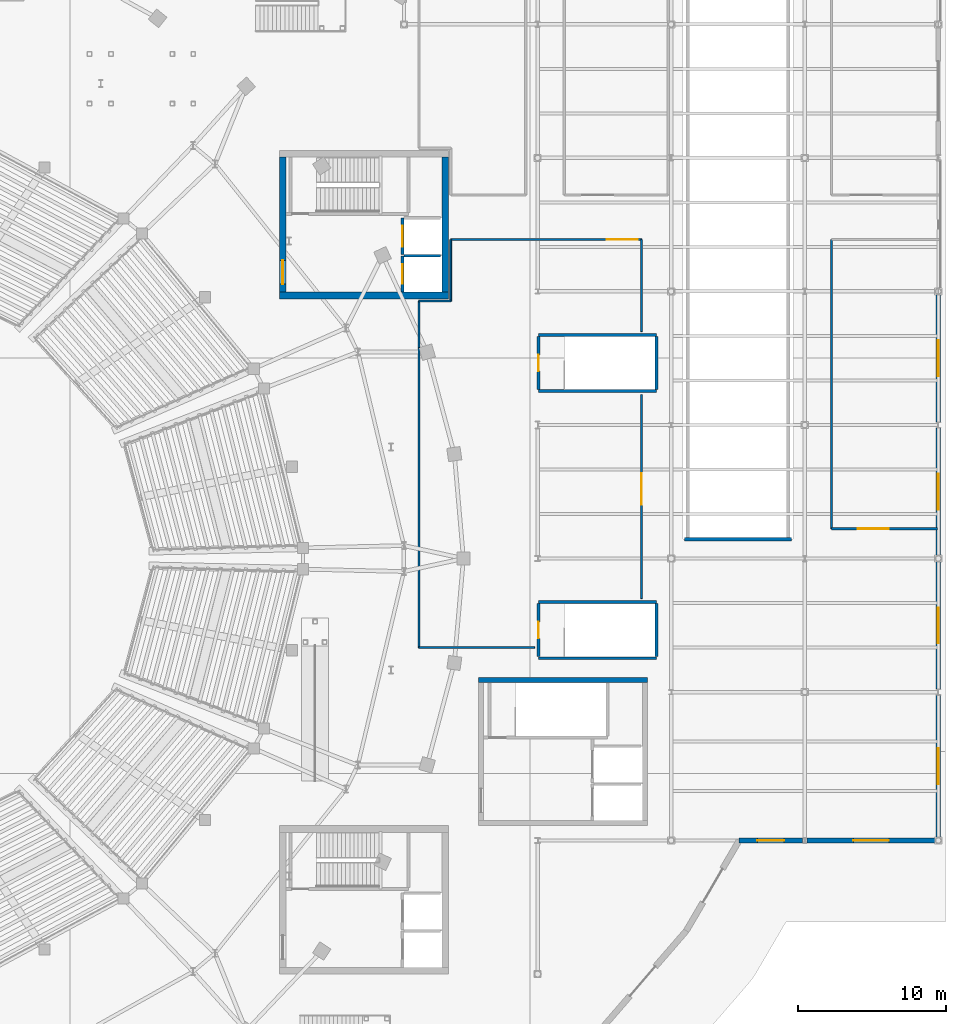
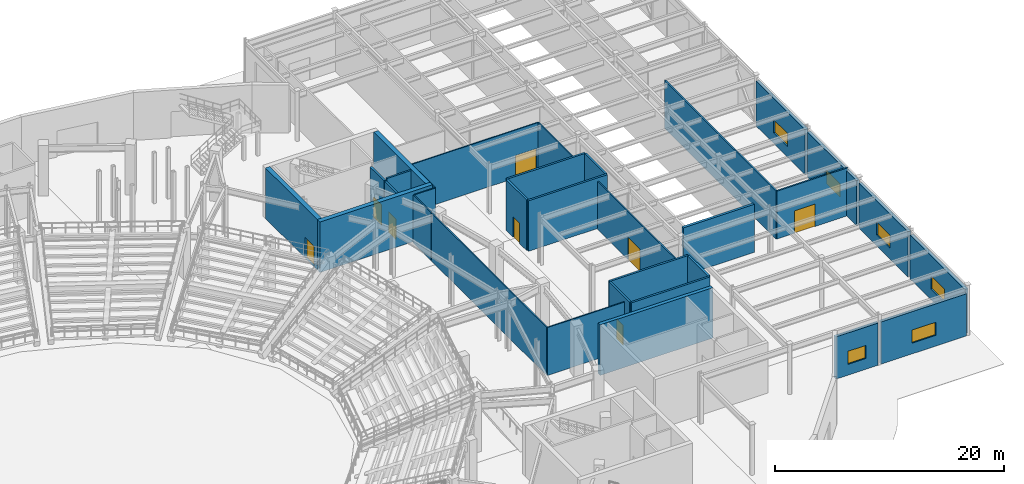
# One storey, part 55 of 79: 32 walls, 8 doors, 6 windows, 14 openings.
"""IFC4 building model written with IfcOpenShell, lengths in metres."""

from ifc_helpers import new_model, si_unit, direction, frame, frame_2d, origin, place, context, subcontext, project, spatial, rectangle, extrude, material, layer, layer_set, type_object, element, fill, save


model = new_model("IFC4")

# Units and contexts
model_context = context("Model", 3, precision=1e-05, world=origin(), true_north=direction((0.0, 1.0)))
body_context = subcontext(model_context, "Body", "Model", "MODEL_VIEW")
ifc_project = project(units=[si_unit("LENGTHUNIT", "METRE"), si_unit("AREAUNIT", "SQUARE_METRE"), si_unit("VOLUMEUNIT", "CUBIC_METRE"), si_unit("PLANEANGLEUNIT", "RADIAN"), si_unit("MASSUNIT", "GRAM", prefix="KILO")], contexts=[model_context])

# Site, building, storey
site_placement = place(None, origin())
site = spatial("IfcSite", under=ifc_project, at=site_placement, CompositionType="ELEMENT")
building_placement = place(site_placement, origin())
building = spatial("IfcBuilding", under=site, at=building_placement, Name="Glasvene Arena", CompositionType="ELEMENT")
storey_placement = place(building_placement, origin())
storey = spatial("IfcBuildingStorey", under=building, at=storey_placement, Name="L00", CompositionType="ELEMENT", Elevation=0.0)

# Walls
ifc_material_1 = material(Name="Concrete C40/50", Category="concrete")
ifc_layer_1 = layer(ifc_material_1, 0.35009765625)
ifc_layer_set_1 = layer_set([ifc_layer_1], Name="Concrete C40/50")
wall_type_1 = type_object("IfcWallType", Name="WL-CORE-350", PredefinedType="SHEAR", material=ifc_layer_set_1)
wall_1_placement = place(storey_placement, frame((143.0, 64.824951171875, 0.0), z_axis=(0.0, 0.0, 1.0), x_axis=(1.0, 0.0, 0.0)))
element("IfcWall", 1, at=wall_1_placement, inside=storey, type_object=wall_type_1, Name="Core C6 Production shear wall N L00", PredefinedType="SHEAR", context=body_context, shape_type="SweptSolid", body=[
    extrude(rectangle(XDim=11.39990234375, YDim=0.35009765625, at=frame_2d((5.699951171875, 0.0))), origin(), (0.0, 0.0, 1.0), 5.39990234375),
])
ifc_layer_2 = layer(ifc_material_1, 0.449951171875)
ifc_layer_set_2 = layer_set([ifc_layer_2], Name="Concrete C40/50")
wall_type_2 = type_object("IfcWallType", Name="WL-CORE-450", PredefinedType="SHEAR", material=ifc_layer_set_2)
wall_2_placement = place(storey_placement, frame((129.60009765625, 90.72509765625, 0.0), z_axis=(0.0, 0.0, 1.0), x_axis=(1.0, 0.0, 0.0)))
element("IfcWall", 2, at=wall_2_placement, inside=storey, type_object=wall_type_2, Name="Core C2 North-East shear wall S L00", PredefinedType="SHEAR", context=body_context, shape_type="SweptSolid", body=[
    extrude(rectangle(XDim=11.39990234375, YDim=0.449951171875, at=frame_2d((5.699951171875, 0.0))), origin(), (0.0, 0.0, 1.0), 5.39990234375),
])

# Wall, opening, door
wall_3_placement = place(storey_placement, frame((129.824951171875, 90.949951171875, 0.0), z_axis=(0.0, 0.0, 1.0), x_axis=(0.0, 1.0, 0.0)))
wall_3 = element("IfcWall", 3, at=wall_3_placement, inside=storey, type_object=wall_type_2, Name="Core C2 North-East shear wall W L00", PredefinedType="SHEAR", context=body_context, shape_type="SweptSolid", body=[
    extrude(rectangle(XDim=9.10009765625, YDim=0.449951171875, at=frame_2d((4.550048828125, 0.0))), origin(), (0.0, 0.0, 1.0), 5.39990234375),
])
opening_1_placement = place(wall_3_placement, frame((0.550048828125, 0.0, 0.0)))
opening_1 = element("IfcOpeningElement", 4, at=opening_1_placement, cuts=wall_3, Name="Opening D-02", PredefinedType="OPENING", context=body_context, shape_type="SweptSolid", body=[
    extrude(rectangle(XDim=1.60009765625, YDim=2.199951171875, at=frame_2d((0.800048828125, 1.10009765625))), frame((0.0, 0.23486328125, 0.0), z_axis=(0.0, -1.0, 0.0), x_axis=(1.0, 0.0, 0.0)), (0.0, 0.0, 1.0), 0.469970703125),
])
ifc_material_2 = material(Name="Painted fire-resisting steel", Category="steel")
door_type_1 = type_object("IfcDoorType", Name="DR-FD60-1600", OperationType="DOUBLE_DOOR_SINGLE_SWING", PredefinedType="DOOR", material=ifc_material_2)
door_1_placement = place(opening_1_placement, frame((1.60009765625, 0.0, 0.0), z_axis=(0.0, 0.0, 1.0), x_axis=(-1.0, 0.0, 0.0)))
door_1 = element("IfcDoor", 5, at=door_1_placement, inside=storey, type_object=door_type_1, Name="Core firefighting lobby concourse door C2-L00", OperationType="DOUBLE_DOOR_SINGLE_SWING", OverallHeight=2.199951171875, OverallWidth=1.60009765625, PredefinedType="DOOR", context=body_context, shape_type="SweptSolid", body=[
    extrude(rectangle(XDim=1.60009765625, YDim=2.199951171875, at=frame_2d((0.800048828125, 1.10009765625))), frame((0.0, 0.02490234375, 0.0), z_axis=(0.0, -1.0, 0.0), x_axis=(1.0, 0.0, 0.0)), (0.0, 0.0, 1.0), 0.050048828125),
])
fill(opening_1, door_1)

# Wall
wall_4_placement = place(storey_placement, frame((140.77490234375, 90.949951171875, 0.0), z_axis=(0.0, 0.0, 1.0), x_axis=(0.0, 1.0, 0.0)))
element("IfcWall", 6, at=wall_4_placement, inside=storey, type_object=wall_type_2, Name="Core C2 North-East shear wall E L00", PredefinedType="SHEAR", context=body_context, shape_type="SweptSolid", body=[
    extrude(rectangle(XDim=9.10009765625, YDim=0.449951171875, at=frame_2d((4.550048828125, 0.0))), origin(), (0.0, 0.0, 1.0), 5.39990234375),
])

# Wall, opening, window
ifc_material_3 = material(Name="Precast concrete C50/60", Category="concrete")
ifc_layer_3 = layer(ifc_material_3, 0.320068359375)
ifc_layer_set_3 = layer_set([ifc_layer_3], Name="Precast concrete C50/60")
wall_type_3 = type_object("IfcWallType", Name="WL-EXT-PRC-320", PredefinedType="STANDARD", material=ifc_layer_set_3)
wall_5_placement = place(storey_placement, frame((174.0, 90.794921875, 0.0), z_axis=(0.0, 0.0, 1.0), x_axis=(0.0, -1.0, 0.0)))
wall_5 = element("IfcWall", 7, at=wall_5_placement, inside=storey, type_object=wall_type_3, Name="External facade wall EW-L00-0030", PredefinedType="STANDARD", context=body_context, shape_type="SweptSolid", body=[
    extrude(rectangle(XDim=8.593017578125, YDim=0.320068359375, at=frame_2d((4.29638671875, 0.0))), origin(), (0.0, 0.0, 1.0), 4.81494140625),
])
opening_2_placement = place(wall_5_placement, frame((3.095947265625, 0.0, 1.14990234375)))
opening_2 = element("IfcOpeningElement", 8, at=opening_2_placement, cuts=wall_5, Name="Opening W-18", PredefinedType="OPENING", context=body_context, shape_type="SweptSolid", body=[
    extrude(rectangle(XDim=2.39990234375, YDim=1.39990234375, at=frame_2d((1.199951171875, 0.699951171875))), frame((0.0, 0.169921875, 0.0), z_axis=(0.0, -1.0, 0.0), x_axis=(1.0, 0.0, 0.0)), (0.0, 0.0, 1.0), 0.340087890625),
])
ifc_material_4 = material(Name="Low-emissivity laminated double glazing", Category="glass")
window_type_1 = type_object("IfcWindowType", Name="WN-LOUV-240x140", PartitioningType="DOUBLE_PANEL_HORIZONTAL", PredefinedType="WINDOW", material=ifc_material_4)
window_1_placement = place(opening_2_placement, origin())
window_1 = element("IfcWindow", 9, at=window_1_placement, inside=storey, type_object=window_type_1, Name="Facade window WN-LOUV-240x140 L00-0007", OverallHeight=1.39990234375, OverallWidth=2.39990234375, PartitioningType="SINGLE_PANEL", PredefinedType="WINDOW", context=body_context, shape_type="SweptSolid", body=[
    extrude(rectangle(XDim=2.39990234375, YDim=1.39990234375, at=frame_2d((1.199951171875, 0.699951171875))), frame((0.0, 0.030029296875, 0.0), z_axis=(0.0, -1.0, 0.0), x_axis=(1.0, 0.0, 0.0)), (0.0, 0.0, 1.0), 0.06005859375),
])
fill(opening_2, window_1)

wall_6_placement = place(storey_placement, frame((174.0, 81.798095703125, 0.0), z_axis=(0.0, 0.0, 1.0), x_axis=(0.0, -1.0, 0.0)))
wall_6 = element("IfcWall", 10, at=wall_6_placement, inside=storey, type_object=wall_type_3, Name="External facade wall EW-L00-0031", PredefinedType="STANDARD", context=body_context, shape_type="SweptSolid", body=[
    extrude(rectangle(XDim=8.593017578125, YDim=0.320068359375, at=frame_2d((4.29638671875, 0.0))), origin(), (0.0, 0.0, 1.0), 4.81494140625),
])
opening_3_placement = place(wall_6_placement, frame((3.095947265625, 0.0, 1.14990234375)))
opening_3 = element("IfcOpeningElement", 11, at=opening_3_placement, cuts=wall_6, Name="Opening W-18", PredefinedType="OPENING", context=body_context, shape_type="SweptSolid", body=[
    extrude(rectangle(XDim=2.39990234375, YDim=1.39990234375, at=frame_2d((1.199951171875, 0.699951171875))), frame((0.0, 0.169921875, 0.0), z_axis=(0.0, -1.0, 0.0), x_axis=(1.0, 0.0, 0.0)), (0.0, 0.0, 1.0), 0.340087890625),
])
window_2_placement = place(opening_3_placement, origin())
window_2 = element("IfcWindow", 12, at=window_2_placement, inside=storey, type_object=window_type_1, Name="Facade window WN-LOUV-240x140 L00-0008", OverallHeight=1.39990234375, OverallWidth=2.39990234375, PartitioningType="SINGLE_PANEL", PredefinedType="WINDOW", context=body_context, shape_type="SweptSolid", body=[
    extrude(rectangle(XDim=2.39990234375, YDim=1.39990234375, at=frame_2d((1.199951171875, 0.699951171875))), frame((0.0, 0.030029296875, 0.0), z_axis=(0.0, -1.0, 0.0), x_axis=(1.0, 0.0, 0.0)), (0.0, 0.0, 1.0), 0.06005859375),
])
fill(opening_3, window_2)

wall_7_placement = place(storey_placement, frame((174.0, 72.794921875, 0.0), z_axis=(0.0, 0.0, 1.0), x_axis=(0.0, -1.0, 0.0)))
wall_7 = element("IfcWall", 13, at=wall_7_placement, inside=storey, type_object=wall_type_3, Name="External facade wall EW-L00-0032", PredefinedType="STANDARD", context=body_context, shape_type="SweptSolid", body=[
    extrude(rectangle(XDim=8.593017578125, YDim=0.320068359375, at=frame_2d((4.29638671875, 0.0))), origin(), (0.0, 0.0, 1.0), 4.81494140625),
])
opening_4_placement = place(wall_7_placement, frame((3.095947265625, 0.0, 1.14990234375)))
opening_4 = element("IfcOpeningElement", 14, at=opening_4_placement, cuts=wall_7, Name="Opening W-18", PredefinedType="OPENING", context=body_context, shape_type="SweptSolid", body=[
    extrude(rectangle(XDim=2.39990234375, YDim=1.39990234375, at=frame_2d((1.199951171875, 0.699951171875))), frame((0.0, 0.169921875, 0.0), z_axis=(0.0, -1.0, 0.0), x_axis=(1.0, 0.0, 0.0)), (0.0, 0.0, 1.0), 0.340087890625),
])
window_3_placement = place(opening_4_placement, origin())
window_3 = element("IfcWindow", 15, at=window_3_placement, inside=storey, type_object=window_type_1, Name="Facade window WN-LOUV-240x140 L00-0009", OverallHeight=1.39990234375, OverallWidth=2.39990234375, PartitioningType="SINGLE_PANEL", PredefinedType="WINDOW", context=body_context, shape_type="SweptSolid", body=[
    extrude(rectangle(XDim=2.39990234375, YDim=1.39990234375, at=frame_2d((1.199951171875, 0.699951171875))), frame((0.0, 0.030029296875, 0.0), z_axis=(0.0, -1.0, 0.0), x_axis=(1.0, 0.0, 0.0)), (0.0, 0.0, 1.0), 0.06005859375),
])
fill(opening_4, window_3)

wall_8_placement = place(storey_placement, frame((174.0, 63.798095703125, 0.0), z_axis=(0.0, 0.0, 1.0), x_axis=(0.0, -1.0, 0.0)))
wall_8 = element("IfcWall", 16, at=wall_8_placement, inside=storey, type_object=wall_type_3, Name="External facade wall EW-L00-0033", PredefinedType="STANDARD", context=body_context, shape_type="SweptSolid", body=[
    extrude(rectangle(XDim=9.593017578125, YDim=0.320068359375, at=frame_2d((4.79638671875, 0.0))), origin(), (0.0, 0.0, 1.0), 4.715087890625),
])
opening_5_placement = place(wall_8_placement, frame((3.595947265625, 0.0, 1.14990234375)))
opening_5 = element("IfcOpeningElement", 17, at=opening_5_placement, cuts=wall_8, Name="Opening W-18", PredefinedType="OPENING", context=body_context, shape_type="SweptSolid", body=[
    extrude(rectangle(XDim=2.39990234375, YDim=1.39990234375, at=frame_2d((1.199951171875, 0.699951171875))), frame((0.0, 0.169921875, 0.0), z_axis=(0.0, -1.0, 0.0), x_axis=(1.0, 0.0, 0.0)), (0.0, 0.0, 1.0), 0.340087890625),
])
window_4_placement = place(opening_5_placement, origin())
window_4 = element("IfcWindow", 18, at=window_4_placement, inside=storey, type_object=window_type_1, Name="Facade window WN-LOUV-240x140 L00-0010", OverallHeight=1.39990234375, OverallWidth=2.39990234375, PartitioningType="SINGLE_PANEL", PredefinedType="WINDOW", context=body_context, shape_type="SweptSolid", body=[
    extrude(rectangle(XDim=2.39990234375, YDim=1.39990234375, at=frame_2d((1.199951171875, 0.699951171875))), frame((0.0, 0.030029296875, 0.0), z_axis=(0.0, -1.0, 0.0), x_axis=(1.0, 0.0, 0.0)), (0.0, 0.0, 1.0), 0.06005859375),
])
fill(opening_5, window_4)

wall_9_placement = place(storey_placement, frame((173.794921875, 54.0, 0.0), z_axis=(0.0, 0.0, 1.0), x_axis=(-1.0, 0.0, 0.0)))
wall_9 = element("IfcWall", 19, at=wall_9_placement, inside=storey, type_object=wall_type_3, Name="External facade wall EW-L00-0034", PredefinedType="STANDARD", context=body_context, shape_type="SweptSolid", body=[
    extrude(rectangle(XDim=8.642822265625, YDim=0.320068359375, at=frame_2d((4.3212890625, 0.0))), origin(), (0.0, 0.0, 1.0), 4.50732421875),
])
opening_6_placement = place(wall_9_placement, frame((3.12109375, 0.0, 1.14990234375)))
opening_6 = element("IfcOpeningElement", 20, at=opening_6_placement, cuts=wall_9, Name="Opening W-18", PredefinedType="OPENING", context=body_context, shape_type="SweptSolid", body=[
    extrude(rectangle(XDim=2.39990234375, YDim=1.39990234375, at=frame_2d((1.199951171875, 0.699951171875))), frame((0.0, 0.169921875, 0.0), z_axis=(0.0, -1.0, 0.0), x_axis=(1.0, 0.0, 0.0)), (0.0, 0.0, 1.0), 0.340087890625),
])
window_5_placement = place(opening_6_placement, origin())
window_5 = element("IfcWindow", 21, at=window_5_placement, inside=storey, type_object=window_type_1, Name="Facade window WN-LOUV-240x140 L00-0011", OverallHeight=1.39990234375, OverallWidth=2.39990234375, PartitioningType="SINGLE_PANEL", PredefinedType="WINDOW", context=body_context, shape_type="SweptSolid", body=[
    extrude(rectangle(XDim=2.39990234375, YDim=1.39990234375, at=frame_2d((1.199951171875, 0.699951171875))), frame((0.0, 0.030029296875, 0.0), z_axis=(0.0, -1.0, 0.0), x_axis=(1.0, 0.0, 0.0)), (0.0, 0.0, 1.0), 0.06005859375),
])
fill(opening_6, window_5)

wall_10_placement = place(storey_placement, frame((164.847900390625, 54.0, 0.0), z_axis=(0.0, 0.0, 1.0), x_axis=(-1.0, 0.0, 0.0)))
wall_10 = element("IfcWall", 22, at=wall_10_placement, inside=storey, type_object=wall_type_3, Name="External facade wall EW-L00-0035", PredefinedType="STANDARD", context=body_context, shape_type="SweptSolid", body=[
    extrude(rectangle(XDim=4.267578125, YDim=0.320068359375, at=frame_2d((2.1337890625, 0.0))), origin(), (0.0, 0.0, 1.0), 4.50732421875),
])
opening_7_placement = place(wall_10_placement, frame((1.23388671875, 0.0, 1.14990234375)))
opening_7 = element("IfcOpeningElement", 23, at=opening_7_placement, cuts=wall_10, Name="Opening W-19", PredefinedType="OPENING", context=body_context, shape_type="SweptSolid", body=[
    extrude(rectangle(XDim=1.800048828125, YDim=1.39990234375, at=frame_2d((0.89990234375, 0.699951171875))), frame((0.0, 0.169921875, 0.0), z_axis=(0.0, -1.0, 0.0), x_axis=(1.0, 0.0, 0.0)), (0.0, 0.0, 1.0), 0.340087890625),
])
window_type_2 = type_object("IfcWindowType", Name="WN-LOUV-180x140", PartitioningType="SINGLE_PANEL", PredefinedType="WINDOW", material=ifc_material_4)
window_6_placement = place(opening_7_placement, origin())
window_6 = element("IfcWindow", 24, at=window_6_placement, inside=storey, type_object=window_type_2, Name="Facade window WN-LOUV-180x140 L00-0012", OverallHeight=1.39990234375, OverallWidth=1.800048828125, PartitioningType="SINGLE_PANEL", PredefinedType="WINDOW", context=body_context, shape_type="SweptSolid", body=[
    extrude(rectangle(XDim=1.800048828125, YDim=1.39990234375, at=frame_2d((0.89990234375, 0.699951171875))), frame((0.0, 0.030029296875, 0.0), z_axis=(0.0, -1.0, 0.0), x_axis=(1.0, 0.0, 0.0)), (0.0, 0.0, 1.0), 0.06005859375),
])
fill(opening_7, window_6)

# Walls
ifc_layer_4 = layer(ifc_material_1, 0.25)
ifc_layer_set_4 = layer_set([ifc_layer_4], Name="Concrete C40/50")
wall_type_4 = type_object("IfcWallType", Name="WL-FIRE-250", PredefinedType="STANDARD", material=ifc_layer_set_4)
wall_11_placement = place(storey_placement, frame((156.89990234375, 74.300048828125, 0.0), z_axis=(0.0, 0.0, 1.0), x_axis=(1.0, 0.0, 0.0)))
element("IfcWall", 25, at=wall_11_placement, inside=storey, type_object=wall_type_4, Name="Vehicle ramp south head enclosure wall L00", PredefinedType="STANDARD", context=body_context, shape_type="SweptSolid", body=[
    extrude(rectangle(XDim=7.2001953125, YDim=0.25, at=frame_2d((3.60009765625, 0.0))), origin(), (0.0, 0.0, 1.0), 5.1201171875),
])
ifc_material_5 = material(Name="Lightweight gypsum metal-stud partition")
ifc_layer_5 = layer(ifc_material_5, 0.1201171875)
ifc_layer_set_5 = layer_set([ifc_layer_5], Name="Lightweight gypsum metal-stud partition")
wall_type_5 = type_object("IfcWallType", Name="WL-PART-120", PredefinedType="PARTITIONING", material=ifc_layer_set_5)
wall_12_placement = place(storey_placement, frame((146.800048828125, 67.0, 0.0), z_axis=(0.0, 0.0, 1.0), x_axis=(-1.0, 0.0, 0.0)))
element("IfcWall", 26, at=wall_12_placement, inside=storey, type_object=wall_type_5, Name="Interior partition wall IW-L00-0136 (Production Rigging Workshop)", PredefinedType="PARTITIONING", context=body_context, shape_type="SweptSolid", body=[
    extrude(rectangle(XDim=7.800048828125, YDim=0.1201171875, at=frame_2d((3.89990234375, 0.0))), origin(), (0.0, 0.0, 1.0), 5.1201171875),
])
wall_13_placement = place(storey_placement, frame((139.0, 67.0, 0.0), z_axis=(0.0, 0.0, 1.0), x_axis=(0.0, 1.0, 0.0)))
element("IfcWall", 27, at=wall_13_placement, inside=storey, type_object=wall_type_5, Name="Interior partition wall IW-L00-0137 (Production Rigging Workshop)", PredefinedType="PARTITIONING", context=body_context, shape_type="SweptSolid", body=[
    extrude(rectangle(XDim=20.1787109375, YDim=0.1201171875, at=frame_2d((10.08935546875, 0.0))), origin(), (0.0, 0.0, 1.0), 5.1201171875),
])
wall_14_placement = place(storey_placement, frame((139.0, 87.21728515625, 0.0), z_axis=(0.0, 0.0, 1.0), x_axis=(0.0, 1.0, 0.0)))
element("IfcWall", 28, at=wall_14_placement, inside=storey, type_object=wall_type_5, Name="Interior partition wall IW-L00-0138 (Production Rigging Workshop)", PredefinedType="PARTITIONING", context=body_context, shape_type="SweptSolid", body=[
    extrude(rectangle(XDim=3.1328125, YDim=0.1201171875, at=frame_2d((1.56640625, 0.0))), origin(), (0.0, 0.0, 1.0), 5.1201171875),
])
wall_15_placement = place(storey_placement, frame((139.0, 90.35009765625, 0.0), z_axis=(0.0, 0.0, 1.0), x_axis=(1.0, 0.0, 0.0)))
element("IfcWall", 29, at=wall_15_placement, inside=storey, type_object=wall_type_5, Name="Interior partition wall IW-L00-0139 (Production Rigging Workshop)", PredefinedType="PARTITIONING", context=body_context, shape_type="SweptSolid", body=[
    extrude(rectangle(XDim=2.14990234375, YDim=0.1201171875, at=frame_2d((1.074951171875, 0.0))), origin(), (0.0, 0.0, 1.0), 5.1201171875),
])
wall_16_placement = place(storey_placement, frame((141.14990234375, 90.35009765625, 0.0), z_axis=(0.0, 0.0, 1.0), x_axis=(0.0, 1.0, 0.0)))
element("IfcWall", 30, at=wall_16_placement, inside=storey, type_object=wall_type_5, Name="Interior partition wall IW-L00-0140 (Production Rigging Workshop)", PredefinedType="PARTITIONING", context=body_context, shape_type="SweptSolid", body=[
    extrude(rectangle(XDim=4.14990234375, YDim=0.1201171875, at=frame_2d((2.074951171875, 0.0))), origin(), (0.0, 0.0, 1.0), 5.1201171875),
])

# Wall, opening, door
wall_17_placement = place(storey_placement, frame((141.14990234375, 94.5, 0.0), z_axis=(0.0, 0.0, 1.0), x_axis=(1.0, 0.0, 0.0)))
wall_17 = element("IfcWall", 31, at=wall_17_placement, inside=storey, type_object=wall_type_5, Name="Interior partition wall IW-L00-0141 (Production Rigging Workshop)", PredefinedType="PARTITIONING", context=body_context, shape_type="SweptSolid", body=[
    extrude(rectangle(XDim=12.85009765625, YDim=0.1201171875, at=frame_2d((6.425048828125, 0.0))), origin(), (0.0, 0.0, 1.0), 5.1201171875),
])
opening_8_placement = place(wall_17_placement, frame((10.5, 0.0, 0.0)))
opening_8 = element("IfcOpeningElement", 32, at=opening_8_placement, cuts=wall_17, Name="Opening D-10", PredefinedType="OPENING", context=body_context, shape_type="SweptSolid", body=[
    extrude(rectangle(XDim=2.10009765625, YDim=2.39990234375, at=frame_2d((1.050048828125, 1.199951171875))), frame((0.0, 0.070068359375, 0.0), z_axis=(0.0, -1.0, 0.0), x_axis=(1.0, 0.0, 0.0)), (0.0, 0.0, 1.0), 0.14013671875),
])
ifc_material_6 = material(Name="Galvanised acoustic steel", Category="steel")
door_type_2 = type_object("IfcDoorType", Name="DR-PLANT-2100", OperationType="DOUBLE_DOOR_SINGLE_SWING", PredefinedType="DOOR", material=ifc_material_6)
door_2_placement = place(opening_8_placement, origin())
door_2 = element("IfcDoor", 33, at=door_2_placement, inside=storey, type_object=door_type_2, Name="Interior door DR-PLANT-2100 (Production Rigging Workshop)", OperationType="DOUBLE_DOOR_SINGLE_SWING", OverallHeight=2.39990234375, OverallWidth=2.10009765625, PredefinedType="DOOR", context=body_context, shape_type="SweptSolid", body=[
    extrude(rectangle(XDim=2.10009765625, YDim=2.39990234375, at=frame_2d((1.050048828125, 1.199951171875))), frame((0.0, 0.02490234375, 0.0), z_axis=(0.0, -1.0, 0.0), x_axis=(1.0, 0.0, 0.0)), (0.0, 0.0, 1.0), 0.050048828125),
])
fill(opening_8, door_2)

# Wall
wall_18_placement = place(storey_placement, frame((154.0, 94.5, 0.0), z_axis=(0.0, 0.0, 1.0), x_axis=(0.0, -1.0, 0.0)))
element("IfcWall", 34, at=wall_18_placement, inside=storey, type_object=wall_type_5, Name="Interior partition wall IW-L00-0142 (Production Rigging Workshop)", PredefinedType="PARTITIONING", context=body_context, shape_type="SweptSolid", body=[
    extrude(rectangle(XDim=6.199951171875, YDim=0.1201171875, at=frame_2d((3.10009765625, 0.0))), origin(), (0.0, 0.0, 1.0), 5.1201171875),
])

# Wall, opening, door
wall_19_placement = place(storey_placement, frame((154.0, 84.050048828125, 0.0), z_axis=(0.0, 0.0, 1.0), x_axis=(0.0, -1.0, 0.0)))
wall_19 = element("IfcWall", 35, at=wall_19_placement, inside=storey, type_object=wall_type_5, Name="Interior partition wall IW-L00-0143 (Production Rigging Workshop)", PredefinedType="PARTITIONING", context=body_context, shape_type="SweptSolid", body=[
    extrude(rectangle(XDim=13.75, YDim=0.1201171875, at=frame_2d((6.875, 0.0))), origin(), (0.0, 0.0, 1.0), 5.1201171875),
])
opening_9_placement = place(wall_19_placement, frame((5.31494140625, 0.0, 0.0)))
opening_9 = element("IfcOpeningElement", 36, at=opening_9_placement, cuts=wall_19, Name="Opening D-10", PredefinedType="OPENING", context=body_context, shape_type="SweptSolid", body=[
    extrude(rectangle(XDim=2.10009765625, YDim=2.39990234375, at=frame_2d((1.050048828125, 1.199951171875))), frame((0.0, 0.070068359375, 0.0), z_axis=(0.0, -1.0, 0.0), x_axis=(1.0, 0.0, 0.0)), (0.0, 0.0, 1.0), 0.14013671875),
])
door_3_placement = place(opening_9_placement, origin())
door_3 = element("IfcDoor", 37, at=door_3_placement, inside=storey, type_object=door_type_2, Name="Interior door DR-PLANT-2100 (Production Rigging Workshop)", OperationType="DOUBLE_DOOR_SINGLE_SWING", OverallHeight=2.39990234375, OverallWidth=2.10009765625, PredefinedType="DOOR", context=body_context, shape_type="SweptSolid", body=[
    extrude(rectangle(XDim=2.10009765625, YDim=2.39990234375, at=frame_2d((1.050048828125, 1.199951171875))), frame((0.0, 0.02490234375, 0.0), z_axis=(0.0, -1.0, 0.0), x_axis=(1.0, 0.0, 0.0)), (0.0, 0.0, 1.0), 0.050048828125),
])
fill(opening_9, door_3)

ifc_material_7 = material(Name="Insulated acoustic metal-stud partition")
ifc_layer_6 = layer(ifc_material_7, 0.14990234375)
ifc_layer_set_6 = layer_set([ifc_layer_6], Name="Insulated acoustic metal-stud partition")
wall_type_6 = type_object("IfcWallType", Name="WL-PART-150", PredefinedType="PARTITIONING", material=ifc_layer_set_6)
wall_20_placement = place(storey_placement, frame((173.9599609375, 75.0, 0.0), z_axis=(0.0, 0.0, 1.0), x_axis=(-1.0, 0.0, 0.0)))
wall_20 = element("IfcWall", 38, at=wall_20_placement, inside=storey, type_object=wall_type_6, Name="Interior partition wall IW-L00-0134 (Event HGV Loading Bay 4)", PredefinedType="PARTITIONING", context=body_context, shape_type="SweptSolid", body=[
    extrude(rectangle(XDim=7.159912109375, YDim=0.14990234375, at=frame_2d((3.580078125, 0.0))), origin(), (0.0, 0.0, 1.0), 5.1201171875),
])
opening_10_placement = place(wall_20_placement, frame((3.302001953125, 0.0, 0.0)))
opening_10 = element("IfcOpeningElement", 39, at=opening_10_placement, cuts=wall_20, Name="Opening D-10", PredefinedType="OPENING", context=body_context, shape_type="SweptSolid", body=[
    extrude(rectangle(XDim=2.10009765625, YDim=2.39990234375, at=frame_2d((1.050048828125, 1.199951171875))), frame((0.0, 0.0849609375, 0.0), z_axis=(0.0, -1.0, 0.0), x_axis=(1.0, 0.0, 0.0)), (0.0, 0.0, 1.0), 0.169921875),
])
door_4_placement = place(opening_10_placement, origin())
door_4 = element("IfcDoor", 40, at=door_4_placement, inside=storey, type_object=door_type_2, Name="Interior door DR-PLANT-2100 (Event HGV Loading Bay 4)", OperationType="DOUBLE_DOOR_SINGLE_SWING", OverallHeight=2.39990234375, OverallWidth=2.10009765625, PredefinedType="DOOR", context=body_context, shape_type="SweptSolid", body=[
    extrude(rectangle(XDim=2.10009765625, YDim=2.39990234375, at=frame_2d((1.050048828125, 1.199951171875))), frame((0.0, 0.02490234375, 0.0), z_axis=(0.0, -1.0, 0.0), x_axis=(1.0, 0.0, 0.0)), (0.0, 0.0, 1.0), 0.050048828125),
])
fill(opening_10, door_4)

# Wall
wall_21_placement = place(storey_placement, frame((166.800048828125, 75.0, 0.0), z_axis=(0.0, 0.0, 1.0), x_axis=(0.0, 1.0, 0.0)))
element("IfcWall", 41, at=wall_21_placement, inside=storey, type_object=wall_type_6, Name="Interior partition wall IW-L00-0135 (Event HGV Loading Bay 4)", PredefinedType="PARTITIONING", context=body_context, shape_type="SweptSolid", body=[
    extrude(rectangle(XDim=19.5, YDim=0.14990234375, at=frame_2d((9.75, 0.0))), origin(), (0.0, 0.0, 1.0), 5.1201171875),
])

# Wall, opening, door
ifc_layer_7 = layer(ifc_material_1, 0.199951171875)
ifc_layer_set_7 = layer_set([ifc_layer_7], Name="Concrete C40/50")
wall_type_7 = type_object("IfcWallType", Name="WL-SHAFT-200", PredefinedType="SHEAR", material=ifc_layer_set_7)
wall_22_placement = place(storey_placement, frame((137.89990234375, 90.949951171875, 0.0), z_axis=(0.0, 0.0, 1.0), x_axis=(0.0, 1.0, 0.0)))
wall_22 = element("IfcWall", 42, at=wall_22_placement, inside=storey, type_object=wall_type_7, Name="Lift shaft front wall FFL-02 L00", PredefinedType="SHEAR", context=body_context, shape_type="SweptSolid", body=[
    extrude(rectangle(XDim=2.449951171875, YDim=0.199951171875, at=frame_2d((1.22509765625, 0.0))), origin(), (0.0, 0.0, 1.0), 5.1201171875),
])
opening_11_placement = place(wall_22_placement, frame((0.574951171875, 0.0, 0.0)))
opening_11 = element("IfcOpeningElement", 43, at=opening_11_placement, cuts=wall_22, Name="Opening LD-FF", PredefinedType="OPENING", context=body_context, shape_type="SweptSolid", body=[
    extrude(rectangle(XDim=1.300048828125, YDim=2.199951171875, at=frame_2d((0.64990234375, 1.10009765625))), frame((0.0, 0.10986328125, 0.0), z_axis=(0.0, -1.0, 0.0), x_axis=(1.0, 0.0, 0.0)), (0.0, 0.0, 1.0), 0.219970703125),
])
ifc_material_8 = material(Name="Brushed stainless steel", Category="steel")
door_type_3 = type_object("IfcDoorType", Name="LD-FFL-1300", OperationType="DOUBLE_DOOR_SLIDING", PredefinedType="DOOR", material=ifc_material_8)
door_5_placement = place(opening_11_placement, origin())
door_5 = element("IfcDoor", 44, at=door_5_placement, inside=storey, type_object=door_type_3, Name="Lift sliding landing door LD-FFL-02-L00", OperationType="DOUBLE_DOOR_SLIDING", OverallHeight=2.199951171875, OverallWidth=1.300048828125, PredefinedType="DOOR", context=body_context, shape_type="SweptSolid", body=[
    extrude(rectangle(XDim=1.300048828125, YDim=2.199951171875, at=frame_2d((0.64990234375, 1.10009765625))), frame((0.0, 0.02490234375, 0.0), z_axis=(0.0, -1.0, 0.0), x_axis=(1.0, 0.0, 0.0)), (0.0, 0.0, 1.0), 0.050048828125),
])
fill(opening_11, door_5)

wall_23_placement = place(storey_placement, frame((137.89990234375, 93.5, 0.0), z_axis=(0.0, 0.0, 1.0), x_axis=(0.0, 1.0, 0.0)))
wall_23 = element("IfcWall", 45, at=wall_23_placement, inside=storey, type_object=wall_type_7, Name="Lift shaft front wall PL-02 L00", PredefinedType="SHEAR", context=body_context, shape_type="SweptSolid", body=[
    extrude(rectangle(XDim=2.449951171875, YDim=0.199951171875, at=frame_2d((1.22509765625, 0.0))), origin(), (0.0, 0.0, 1.0), 5.1201171875),
])
opening_12_placement = place(wall_23_placement, frame((0.52490234375, 0.0, 0.0)))
opening_12 = element("IfcOpeningElement", 46, at=opening_12_placement, cuts=wall_23, Name="Opening LD-PL", PredefinedType="OPENING", context=body_context, shape_type="SweptSolid", body=[
    extrude(rectangle(XDim=1.39990234375, YDim=2.199951171875, at=frame_2d((0.699951171875, 1.10009765625))), frame((0.0, 0.10986328125, 0.0), z_axis=(0.0, -1.0, 0.0), x_axis=(1.0, 0.0, 0.0)), (0.0, 0.0, 1.0), 0.219970703125),
])
door_type_4 = type_object("IfcDoorType", Name="LD-PL-1400", OperationType="DOUBLE_DOOR_SLIDING", PredefinedType="DOOR", material=ifc_material_8)
door_6_placement = place(opening_12_placement, origin())
door_6 = element("IfcDoor", 47, at=door_6_placement, inside=storey, type_object=door_type_4, Name="Lift sliding landing door LD-PL-02-L00", OperationType="DOUBLE_DOOR_SLIDING", OverallHeight=2.199951171875, OverallWidth=1.39990234375, PredefinedType="DOOR", context=body_context, shape_type="SweptSolid", body=[
    extrude(rectangle(XDim=1.39990234375, YDim=2.199951171875, at=frame_2d((0.699951171875, 1.10009765625))), frame((0.0, 0.02490234375, 0.0), z_axis=(0.0, -1.0, 0.0), x_axis=(1.0, 0.0, 0.0)), (0.0, 0.0, 1.0), 0.050048828125),
])
fill(opening_12, door_6)

# Wall
wall_24_placement = place(storey_placement, frame((147.050048828125, 66.280029296875, 0.0), z_axis=(0.0, 0.0, 1.0), x_axis=(1.0, 0.0, 0.0)))
element("IfcWall", 48, at=wall_24_placement, inside=storey, type_object=wall_type_7, Name="Escape stair shaft wall ST-B04 L00 S", PredefinedType="SHEAR", context=body_context, shape_type="SweptSolid", body=[
    extrude(rectangle(XDim=7.949951171875, YDim=0.199951171875, at=frame_2d((3.97509765625, 0.0))), origin(), (0.0, 0.0, 1.0), 5.39990234375),
])

# Wall, opening, door
wall_25_placement = place(storey_placement, frame((147.050048828125, 66.382080078125, 0.0), z_axis=(0.0, 0.0, 1.0), x_axis=(0.0, 1.0, 0.0)))
wall_25 = element("IfcWall", 49, at=wall_25_placement, inside=storey, type_object=wall_type_7, Name="Escape stair shaft wall ST-B04 L00 W", PredefinedType="SHEAR", context=body_context, shape_type="SweptSolid", body=[
    extrude(rectangle(XDim=3.5859375, YDim=0.199951171875, at=frame_2d((1.79296875, 0.0))), origin(), (0.0, 0.0, 1.0), 5.39990234375),
])
opening_13_placement = place(wall_25_placement, frame((1.242919921875, 0.0, 0.0)))
opening_13 = element("IfcOpeningElement", 50, at=opening_13_placement, cuts=wall_25, Name="Opening D-04", PredefinedType="OPENING", context=body_context, shape_type="SweptSolid", body=[
    extrude(rectangle(XDim=1.10009765625, YDim=2.14990234375, at=frame_2d((0.550048828125, 1.074951171875))), frame((0.0, 0.10986328125, 0.0), z_axis=(0.0, -1.0, 0.0), x_axis=(1.0, 0.0, 0.0)), (0.0, 0.0, 1.0), 0.219970703125),
])
door_type_5 = type_object("IfcDoorType", Name="DR-FD60-1100", OperationType="NOTDEFINED", PredefinedType="DOOR", material=ifc_material_2)
door_7_placement = place(opening_13_placement, frame((1.10009765625, 0.0, 0.0), z_axis=(0.0, 0.0, 1.0), x_axis=(-1.0, 0.0, 0.0)))
door_7 = element("IfcDoor", 51, at=door_7_placement, inside=storey, type_object=door_type_5, Name="Protected escape stair door ST-B04 L00", OperationType="SINGLE_SWING_LEFT", OverallHeight=2.14990234375, OverallWidth=1.10009765625, PredefinedType="DOOR", context=body_context, shape_type="SweptSolid", body=[
    extrude(rectangle(XDim=1.10009765625, YDim=2.14990234375, at=frame_2d((0.550048828125, 1.074951171875))), frame((0.0, 0.02490234375, 0.0), z_axis=(0.0, -1.0, 0.0), x_axis=(1.0, 0.0, 0.0)), (0.0, 0.0, 1.0), 0.050048828125),
])
fill(opening_13, door_7)

# Walls
wall_26_placement = place(storey_placement, frame((155.0, 66.382080078125, 0.0), z_axis=(0.0, 0.0, 1.0), x_axis=(0.0, 1.0, 0.0)))
element("IfcWall", 52, at=wall_26_placement, inside=storey, type_object=wall_type_7, Name="Escape stair shaft wall ST-B04 L00 E", PredefinedType="SHEAR", context=body_context, shape_type="SweptSolid", body=[
    extrude(rectangle(XDim=3.5859375, YDim=0.199951171875, at=frame_2d((1.79296875, 0.0))), origin(), (0.0, 0.0, 1.0), 5.39990234375),
])
for number, where, z_axis, x_axis, name in (
    (53, (147.050048828125, 70.070068359375, 0.0), (0.0, 0.0, 1.0), (1.0, 0.0, 0.0), "Escape stair shaft wall ST-B04 L00 N"),
    (54, (147.050048828125, 84.280029296875, 0.0), (0.0, 0.0, 1.0), (1.0, 0.0, 0.0), "Escape stair shaft wall ST-B05 L00 S"),
):
    element("IfcWall", number, at=place(storey_placement, frame(where, z_axis=z_axis, x_axis=x_axis)), inside=storey, type_object=wall_type_7, Name=name, PredefinedType="SHEAR", context=body_context, shape_type="SweptSolid", body=[
        extrude(rectangle(XDim=7.949951171875, YDim=0.199951171875, at=frame_2d((3.97509765625, 0.0))), origin(), (0.0, 0.0, 1.0), 5.39990234375),
    ])

# Wall, opening, door
wall_27_placement = place(storey_placement, frame((147.050048828125, 84.382080078125, 0.0), z_axis=(0.0, 0.0, 1.0), x_axis=(0.0, 1.0, 0.0)))
wall_27 = element("IfcWall", 55, at=wall_27_placement, inside=storey, type_object=wall_type_7, Name="Escape stair shaft wall ST-B05 L00 W", PredefinedType="SHEAR", context=body_context, shape_type="SweptSolid", body=[
    extrude(rectangle(XDim=3.5859375, YDim=0.199951171875, at=frame_2d((1.79296875, 0.0))), origin(), (0.0, 0.0, 1.0), 5.39990234375),
])
opening_14_placement = place(wall_27_placement, frame((1.242919921875, 0.0, 0.0)))
opening_14 = element("IfcOpeningElement", 56, at=opening_14_placement, cuts=wall_27, Name="Opening D-04", PredefinedType="OPENING", context=body_context, shape_type="SweptSolid", body=[
    extrude(rectangle(XDim=1.10009765625, YDim=2.14990234375, at=frame_2d((0.550048828125, 1.074951171875))), frame((0.0, 0.10986328125, 0.0), z_axis=(0.0, -1.0, 0.0), x_axis=(1.0, 0.0, 0.0)), (0.0, 0.0, 1.0), 0.219970703125),
])
door_8_placement = place(opening_14_placement, frame((1.10009765625, 0.0, 0.0), z_axis=(0.0, 0.0, 1.0), x_axis=(-1.0, 0.0, 0.0)))
door_8 = element("IfcDoor", 57, at=door_8_placement, inside=storey, type_object=door_type_5, Name="Protected escape stair door ST-B05 L00", OperationType="SINGLE_SWING_LEFT", OverallHeight=2.14990234375, OverallWidth=1.10009765625, PredefinedType="DOOR", context=body_context, shape_type="SweptSolid", body=[
    extrude(rectangle(XDim=1.10009765625, YDim=2.14990234375, at=frame_2d((0.550048828125, 1.074951171875))), frame((0.0, 0.02490234375, 0.0), z_axis=(0.0, -1.0, 0.0), x_axis=(1.0, 0.0, 0.0)), (0.0, 0.0, 1.0), 0.050048828125),
])
fill(opening_14, door_8)

# Walls
wall_28_placement = place(storey_placement, frame((155.0, 84.382080078125, 0.0), z_axis=(0.0, 0.0, 1.0), x_axis=(0.0, 1.0, 0.0)))
element("IfcWall", 58, at=wall_28_placement, inside=storey, type_object=wall_type_7, Name="Escape stair shaft wall ST-B05 L00 E", PredefinedType="SHEAR", context=body_context, shape_type="SweptSolid", body=[
    extrude(rectangle(XDim=3.5859375, YDim=0.199951171875, at=frame_2d((1.79296875, 0.0))), origin(), (0.0, 0.0, 1.0), 5.39990234375),
])
wall_29_placement = place(storey_placement, frame((147.050048828125, 88.070068359375, 0.0), z_axis=(0.0, 0.0, 1.0), x_axis=(1.0, 0.0, 0.0)))
element("IfcWall", 59, at=wall_29_placement, inside=storey, type_object=wall_type_7, Name="Escape stair shaft wall ST-B05 L00 N", PredefinedType="SHEAR", context=body_context, shape_type="SweptSolid", body=[
    extrude(rectangle(XDim=7.949951171875, YDim=0.199951171875, at=frame_2d((3.97509765625, 0.0))), origin(), (0.0, 0.0, 1.0), 5.39990234375),
])
ifc_material_9 = material(Name="Moisture-resistant masonry blockwork", Category="masonry")
ifc_layer_8 = layer(ifc_material_9, 0.179931640625)
ifc_layer_set_8 = layer_set([ifc_layer_8], Name="Moisture-resistant masonry blockwork")
wall_type_8 = type_object("IfcWallType", Name="WL-WET-180", PredefinedType="PARTITIONING", material=ifc_layer_set_8)
wall_30_placement = place(storey_placement, frame((138.0, 93.39990234375, 0.0), z_axis=(0.0, 0.0, 1.0), x_axis=(1.0, 0.0, 0.0)))
element("IfcWall", 60, at=wall_30_placement, inside=storey, type_object=wall_type_8, Name="Lift shaft divider wall C2 L00", PredefinedType="PARTITIONING", context=body_context, shape_type="SweptSolid", body=[
    extrude(rectangle(XDim=2.449951171875, YDim=0.179931640625, at=frame_2d((1.22509765625, 0.0))), origin(), (0.0, 0.0, 1.0), 5.39990234375),
])

save(model, "model.ifc")
